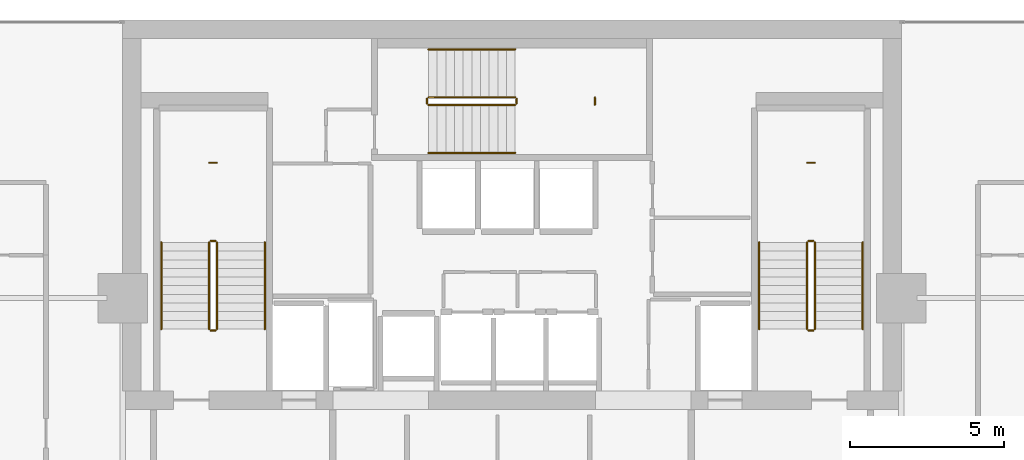
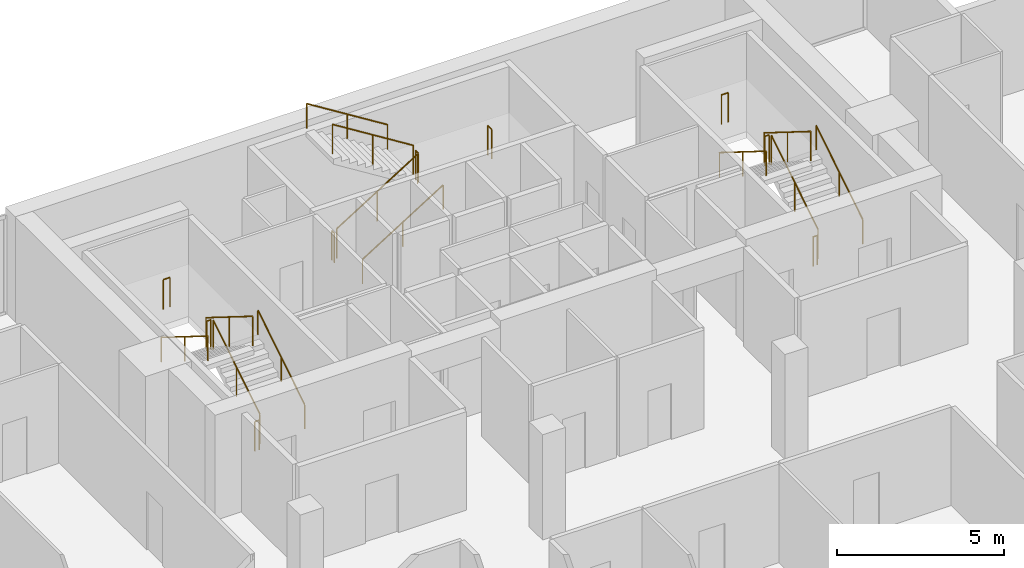
# One storey, part 25 of 25: 21 railings.
"""IFC4 building model written with IfcOpenShell, lengths in metres."""

from ifc_helpers import new_model, si_unit, direction, frame, origin, origin_2d, place, context, subcontext, project, spatial, circle, extrude, material, type_object, element, save


model = new_model("IFC4")

# Units and contexts
model_context = context("Model", 3, precision=1e-05, world=origin(), true_north=direction((0.0, 1.0)))
body_context = subcontext(model_context, "Body", "Model", "MODEL_VIEW")
ifc_project = project(units=[si_unit("LENGTHUNIT", "METRE"), si_unit("AREAUNIT", "SQUARE_METRE"), si_unit("VOLUMEUNIT", "CUBIC_METRE"), si_unit("PLANEANGLEUNIT", "RADIAN"), si_unit("MASSUNIT", "GRAM", prefix="KILO")], contexts=[model_context])

# Site, building, storey
site_placement = place(None, origin())
site = spatial("IfcSite", under=ifc_project, at=site_placement, CompositionType="ELEMENT")
building_placement = place(site_placement, origin())
building = spatial("IfcBuilding", under=site, at=building_placement, Name="Maruvema Waterfront Hotel and Observation Tower", CompositionType="ELEMENT")
storey_placement = place(building_placement, frame((0.0, 0.0, 277.89990234375)))
storey = spatial("IfcBuildingStorey", under=building, at=storey_placement, Name="L68", CompositionType="ELEMENT", Elevation=277.89990234375)

# Railings
ifc_material_1 = material(Name="Brushed stainless steel Grade 316", Category="steel")
railing_type_1 = type_object("IfcRailingType", Name="Ramp Continuous Wall Handrail 920 mm", PredefinedType="HANDRAIL", material=ifc_material_1)
railing_1_placement = place(storey_placement, frame((29.800048828125, 44.0, 0.175048828125)))
element("IfcRailing", 1, at=railing_1_placement, inside=storey, type_object=railing_type_1, Name="L68 ST-01 stair handrail 1", PredefinedType="HANDRAIL", context=body_context, shape_type="SweptSolid", body=[
    extrude(circle(Radius=0.02392578125, at=origin_2d()), frame((0.0, 0.0, 0.89599609375), z_axis=(0.0, 0.848002457836, 0.529992293815), x_axis=(-1.0, 0.0, 0.0)), (0.0, 0.0, 1.0), 3.302001953125),
    extrude(circle(Radius=0.02099609375, at=origin_2d()), origin(), (0.0, 0.0, 1.0), 0.871826171875),
    extrude(circle(Radius=0.02099609375, at=origin_2d()), frame((0.0, 1.39990234375, 0.875)), (0.0, 0.0, 1.0), 0.871826171875),
    extrude(circle(Radius=0.02099609375, at=origin_2d()), frame((0.0, 2.800048828125, 1.75)), (0.0, 0.0, 1.0), 0.871826171875),
])
railing_2_placement = place(storey_placement, frame((26.449951171875, 46.800048828125, 2.10009765625)))
element("IfcRailing", 2, at=railing_2_placement, inside=storey, type_object=railing_type_1, Name="L68 ST-01 stair handrail 2", PredefinedType="HANDRAIL", context=body_context, shape_type="SweptSolid", body=[
    extrude(circle(Radius=0.02392578125, at=origin_2d()), frame((0.0, 0.0, 0.89599609375), z_axis=(0.0, -0.848002457836, 0.529992293815), x_axis=(1.0, 0.0, 0.0)), (0.0, 0.0, 1.0), 3.302001953125),
    extrude(circle(Radius=0.02099609375, at=origin_2d()), origin(), (0.0, 0.0, 1.0), 0.871826171875),
    extrude(circle(Radius=0.02099609375, at=origin_2d()), frame((0.0, -1.39990234375, 0.875)), (0.0, 0.0, 1.0), 0.871826171875),
    extrude(circle(Radius=0.02099609375, at=origin_2d()), frame((0.0, -2.800048828125, 1.75)), (0.0, 0.0, 1.0), 0.871826171875),
])
railing_3_placement = place(storey_placement, frame((35.10009765625, 49.699951171875, 0.175048828125)))
element("IfcRailing", 3, at=railing_3_placement, inside=storey, type_object=railing_type_1, Name="L68 ST-02 stair handrail 1", PredefinedType="HANDRAIL", context=body_context, shape_type="SweptSolid", body=[
    extrude(circle(Radius=0.02392578125, at=origin_2d()), frame((0.0, 0.0, 0.89599609375), z_axis=(0.847981687118, 0.0, 0.530025526095), x_axis=(0.0, 1.0, 0.0)), (0.0, 0.0, 1.0), 3.3017578125),
    extrude(circle(Radius=0.02099609375, at=origin_2d()), origin(), (0.0, 0.0, 1.0), 0.871826171875),
    extrude(circle(Radius=0.02099609375, at=origin_2d()), frame((1.39990234375, 0.0, 0.875)), (0.0, 0.0, 1.0), 0.871826171875),
    extrude(circle(Radius=0.02099609375, at=origin_2d()), frame((2.7998046875, 0.0, 1.75)), (0.0, 0.0, 1.0), 0.871826171875),
])
railing_4_placement = place(storey_placement, frame((37.89990234375, 53.050048828125, 2.10009765625)))
element("IfcRailing", 4, at=railing_4_placement, inside=storey, type_object=railing_type_1, Name="L68 ST-02 stair handrail 2", PredefinedType="HANDRAIL", context=body_context, shape_type="SweptSolid", body=[
    extrude(circle(Radius=0.02392578125, at=origin_2d()), frame((0.0, 0.0, 0.89599609375), z_axis=(-0.847981687118, 0.0, 0.530025526095), x_axis=(0.0, -1.0, 0.0)), (0.0, 0.0, 1.0), 3.3017578125),
    extrude(circle(Radius=0.02099609375, at=origin_2d()), origin(), (0.0, 0.0, 1.0), 0.871826171875),
    extrude(circle(Radius=0.02099609375, at=origin_2d()), frame((-1.39990234375, 0.0, 0.875)), (0.0, 0.0, 1.0), 0.871826171875),
    extrude(circle(Radius=0.02099609375, at=origin_2d()), frame((-2.7998046875, 0.0, 1.75)), (0.0, 0.0, 1.0), 0.871826171875),
])
railing_5_placement = place(storey_placement, frame((49.14990234375, 44.0, 0.175048828125)))
element("IfcRailing", 5, at=railing_5_placement, inside=storey, type_object=railing_type_1, Name="L68 ST-03 stair handrail 1", PredefinedType="HANDRAIL", context=body_context, shape_type="SweptSolid", body=[
    extrude(circle(Radius=0.02392578125, at=origin_2d()), frame((0.0, 0.0, 0.89599609375), z_axis=(0.0, 0.848002457836, 0.529992293815), x_axis=(-1.0, 0.0, 0.0)), (0.0, 0.0, 1.0), 3.302001953125),
    extrude(circle(Radius=0.02099609375, at=origin_2d()), origin(), (0.0, 0.0, 1.0), 0.871826171875),
    extrude(circle(Radius=0.02099609375, at=origin_2d()), frame((0.0, 1.39990234375, 0.875)), (0.0, 0.0, 1.0), 0.871826171875),
    extrude(circle(Radius=0.02099609375, at=origin_2d()), frame((0.0, 2.800048828125, 1.75)), (0.0, 0.0, 1.0), 0.871826171875),
])
railing_6_placement = place(storey_placement, frame((45.800048828125, 46.800048828125, 2.10009765625)))
element("IfcRailing", 6, at=railing_6_placement, inside=storey, type_object=railing_type_1, Name="L68 ST-03 stair handrail 2", PredefinedType="HANDRAIL", context=body_context, shape_type="SweptSolid", body=[
    extrude(circle(Radius=0.02392578125, at=origin_2d()), frame((0.0, 0.0, 0.89599609375), z_axis=(0.0, -0.848002457836, 0.529992293815), x_axis=(1.0, 0.0, 0.0)), (0.0, 0.0, 1.0), 3.302001953125),
    extrude(circle(Radius=0.02099609375, at=origin_2d()), origin(), (0.0, 0.0, 1.0), 0.871826171875),
    extrude(circle(Radius=0.02099609375, at=origin_2d()), frame((0.0, -1.39990234375, 0.875)), (0.0, 0.0, 1.0), 0.871826171875),
    extrude(circle(Radius=0.02099609375, at=origin_2d()), frame((0.0, -2.800048828125, 1.75)), (0.0, 0.0, 1.0), 0.871826171875),
])
ifc_material_2 = material(Name="Brushed stainless steel Grade 316", Category="steel")
railing_type_2 = type_object("IfcRailingType", Name="Ramp and Terrace Guard Balustrade 1100 mm", PredefinedType="BALUSTRADE", material=ifc_material_2)
railing_7_placement = place(storey_placement, frame((28.25, 44.0, 0.175048828125)))
element("IfcRailing", 7, at=railing_7_placement, inside=storey, type_object=railing_type_2, Name="L68 ST-01 stair guard 1", PredefinedType="BALUSTRADE", context=body_context, shape_type="SweptSolid", body=[
    extrude(circle(Radius=0.02392578125, at=origin_2d()), frame((0.0, 0.0, 1.076171875), z_axis=(0.0, 0.848002457836, 0.529992293815), x_axis=(-1.0, 0.0, 0.0)), (0.0, 0.0, 1.0), 3.302001953125),
    extrude(circle(Radius=0.02099609375, at=origin_2d()), origin(), (0.0, 0.0, 1.0), 1.052001953125),
    extrude(circle(Radius=0.02099609375, at=origin_2d()), frame((0.0, 1.39990234375, 0.875)), (0.0, 0.0, 1.0), 1.052001953125),
    extrude(circle(Radius=0.02099609375, at=origin_2d()), frame((0.0, 2.800048828125, 1.75)), (0.0, 0.0, 1.0), 1.052001953125),
])
railing_8_placement = place(storey_placement, frame((28.199951171875, 46.85009765625, 1.925048828125)))
element("IfcRailing", 8, at=railing_8_placement, inside=storey, type_object=railing_type_2, Name="L68 ST-01 stair guard 2", PredefinedType="BALUSTRADE", context=body_context, shape_type="SweptSolid", body=[
    extrude(circle(Radius=0.02392578125, at=origin_2d()), frame((0.0, 0.0, 1.076171875), z_axis=(-1.0, 0.0, 0.0), x_axis=(0.0, -1.0, 0.0)), (0.0, 0.0, 1.0), 0.14990234375),
    extrude(circle(Radius=0.02099609375, at=origin_2d()), origin(), (0.0, 0.0, 1.0), 1.052001953125),
    extrude(circle(Radius=0.02099609375, at=origin_2d()), frame((-0.14990234375, 0.0, 0.0)), (0.0, 0.0, 1.0), 1.052001953125),
])
railing_9_placement = place(storey_placement, frame((28.0, 46.800048828125, 2.10009765625)))
element("IfcRailing", 9, at=railing_9_placement, inside=storey, type_object=railing_type_2, Name="L68 ST-01 stair guard 3", PredefinedType="BALUSTRADE", context=body_context, shape_type="SweptSolid", body=[
    extrude(circle(Radius=0.02392578125, at=origin_2d()), frame((0.0, 0.0, 1.076171875), z_axis=(0.0, -0.848002457836, 0.529992293815), x_axis=(1.0, 0.0, 0.0)), (0.0, 0.0, 1.0), 3.302001953125),
    extrude(circle(Radius=0.02099609375, at=origin_2d()), origin(), (0.0, 0.0, 1.0), 1.052001953125),
    extrude(circle(Radius=0.02099609375, at=origin_2d()), frame((0.0, -1.39990234375, 0.875)), (0.0, 0.0, 1.0), 1.052001953125),
    extrude(circle(Radius=0.02099609375, at=origin_2d()), frame((0.0, -2.800048828125, 1.75)), (0.0, 0.0, 1.0), 1.052001953125),
])
railing_10_placement = place(storey_placement, frame((28.199951171875, 43.949951171875, 0.0)))
element("IfcRailing", 10, at=railing_10_placement, inside=storey, type_object=railing_type_2, Name="L68 ST-01 stair guard 4", PredefinedType="BALUSTRADE", context=body_context, shape_type="SweptSolid", body=[
    extrude(circle(Radius=0.02392578125, at=origin_2d()), frame((0.0, 0.0, 1.076171875), z_axis=(-1.0, 0.0, 0.0), x_axis=(0.0, -1.0, 0.0)), (0.0, 0.0, 1.0), 0.14990234375),
    extrude(circle(Radius=0.02099609375, at=origin_2d()), origin(), (0.0, 0.0, 1.0), 1.052001953125),
    extrude(circle(Radius=0.02099609375, at=origin_2d()), frame((-0.14990234375, 0.0, 0.0)), (0.0, 0.0, 1.0), 1.052001953125),
])
railing_11_placement = place(storey_placement, frame((28.239990234375, 49.3798828125, 1.925048828125)))
element("IfcRailing", 11, at=railing_11_placement, inside=storey, type_object=railing_type_2, Name="L68 ST-01 Half-Landing Slot Guard", PredefinedType="BALUSTRADE", context=body_context, shape_type="SweptSolid", body=[
    extrude(circle(Radius=0.02392578125, at=origin_2d()), frame((0.0, 0.0, 1.076171875), z_axis=(-1.0, 0.0, 0.0), x_axis=(0.0, -1.0, 0.0)), (0.0, 0.0, 1.0), 0.22998046875),
    extrude(circle(Radius=0.02099609375, at=origin_2d()), origin(), (0.0, 0.0, 1.0), 1.052001953125),
    extrude(circle(Radius=0.02099609375, at=origin_2d()), frame((-0.22998046875, 0.0, 0.0)), (0.0, 0.0, 1.0), 1.052001953125),
])
railing_12_placement = place(storey_placement, frame((35.10009765625, 51.25, 0.175048828125)))
element("IfcRailing", 12, at=railing_12_placement, inside=storey, type_object=railing_type_2, Name="L68 ST-02 stair guard 1", PredefinedType="BALUSTRADE", context=body_context, shape_type="SweptSolid", body=[
    extrude(circle(Radius=0.02392578125, at=origin_2d()), frame((0.0, 0.0, 1.076171875), z_axis=(0.847981687118, 0.0, 0.530025526095), x_axis=(0.0, 1.0, 0.0)), (0.0, 0.0, 1.0), 3.3017578125),
    extrude(circle(Radius=0.02099609375, at=origin_2d()), origin(), (0.0, 0.0, 1.0), 1.052001953125),
    extrude(circle(Radius=0.02099609375, at=origin_2d()), frame((1.39990234375, 0.0, 0.875)), (0.0, 0.0, 1.0), 1.052001953125),
    extrude(circle(Radius=0.02099609375, at=origin_2d()), frame((2.7998046875, 0.0, 1.75)), (0.0, 0.0, 1.0), 1.052001953125),
])
railing_13_placement = place(storey_placement, frame((37.949951171875, 51.300048828125, 1.925048828125)))
element("IfcRailing", 13, at=railing_13_placement, inside=storey, type_object=railing_type_2, Name="L68 ST-02 stair guard 2", PredefinedType="BALUSTRADE", context=body_context, shape_type="SweptSolid", body=[
    extrude(circle(Radius=0.02392578125, at=origin_2d()), frame((0.0, 0.0, 1.076171875), z_axis=(0.0, 1.0, 0.0), x_axis=(-1.0, 0.0, 0.0)), (0.0, 0.0, 1.0), 0.14990234375),
    extrude(circle(Radius=0.02099609375, at=origin_2d()), origin(), (0.0, 0.0, 1.0), 1.052001953125),
    extrude(circle(Radius=0.02099609375, at=origin_2d()), frame((0.0, 0.14990234375, 0.0)), (0.0, 0.0, 1.0), 1.052001953125),
])
railing_14_placement = place(storey_placement, frame((37.89990234375, 51.5, 2.10009765625)))
element("IfcRailing", 14, at=railing_14_placement, inside=storey, type_object=railing_type_2, Name="L68 ST-02 stair guard 3", PredefinedType="BALUSTRADE", context=body_context, shape_type="SweptSolid", body=[
    extrude(circle(Radius=0.02392578125, at=origin_2d()), frame((0.0, 0.0, 1.076171875), z_axis=(-0.847981687118, 0.0, 0.530025526095), x_axis=(0.0, -1.0, 0.0)), (0.0, 0.0, 1.0), 3.3017578125),
    extrude(circle(Radius=0.02099609375, at=origin_2d()), origin(), (0.0, 0.0, 1.0), 1.052001953125),
    extrude(circle(Radius=0.02099609375, at=origin_2d()), frame((-1.39990234375, 0.0, 0.875)), (0.0, 0.0, 1.0), 1.052001953125),
    extrude(circle(Radius=0.02099609375, at=origin_2d()), frame((-2.7998046875, 0.0, 1.75)), (0.0, 0.0, 1.0), 1.052001953125),
])
railing_15_placement = place(storey_placement, frame((35.050048828125, 51.300048828125, 0.0)))
element("IfcRailing", 15, at=railing_15_placement, inside=storey, type_object=railing_type_2, Name="L68 ST-02 stair guard 4", PredefinedType="BALUSTRADE", context=body_context, shape_type="SweptSolid", body=[
    extrude(circle(Radius=0.02392578125, at=origin_2d()), frame((0.0, 0.0, 1.076171875), z_axis=(0.0, 1.0, 0.0), x_axis=(-1.0, 0.0, 0.0)), (0.0, 0.0, 1.0), 0.14990234375),
    extrude(circle(Radius=0.02099609375, at=origin_2d()), origin(), (0.0, 0.0, 1.0), 1.052001953125),
    extrude(circle(Radius=0.02099609375, at=origin_2d()), frame((0.0, 0.14990234375, 0.0)), (0.0, 0.0, 1.0), 1.052001953125),
])
railing_16_placement = place(storey_placement, frame((40.47998046875, 51.260009765625, 1.925048828125)))
element("IfcRailing", 16, at=railing_16_placement, inside=storey, type_object=railing_type_2, Name="L68 ST-02 Half-Landing Slot Guard", PredefinedType="BALUSTRADE", context=body_context, shape_type="SweptSolid", body=[
    extrude(circle(Radius=0.02392578125, at=origin_2d()), frame((0.0, 0.0, 1.076171875), z_axis=(0.0, 1.0, 0.0), x_axis=(-1.0, 0.0, 0.0)), (0.0, 0.0, 1.0), 0.22998046875),
    extrude(circle(Radius=0.02099609375, at=origin_2d()), origin(), (0.0, 0.0, 1.0), 1.052001953125),
    extrude(circle(Radius=0.02099609375, at=origin_2d()), frame((0.0, 0.22998046875, 0.0)), (0.0, 0.0, 1.0), 1.052001953125),
])
railing_17_placement = place(storey_placement, frame((47.60009765625, 44.0, 0.175048828125)))
element("IfcRailing", 17, at=railing_17_placement, inside=storey, type_object=railing_type_2, Name="L68 ST-03 stair guard 1", PredefinedType="BALUSTRADE", context=body_context, shape_type="SweptSolid", body=[
    extrude(circle(Radius=0.02392578125, at=origin_2d()), frame((0.0, 0.0, 1.076171875), z_axis=(0.0, 0.848002457836, 0.529992293815), x_axis=(-1.0, 0.0, 0.0)), (0.0, 0.0, 1.0), 3.302001953125),
    extrude(circle(Radius=0.02099609375, at=origin_2d()), origin(), (0.0, 0.0, 1.0), 1.052001953125),
    extrude(circle(Radius=0.02099609375, at=origin_2d()), frame((0.0, 1.39990234375, 0.875)), (0.0, 0.0, 1.0), 1.052001953125),
    extrude(circle(Radius=0.02099609375, at=origin_2d()), frame((0.0, 2.800048828125, 1.75)), (0.0, 0.0, 1.0), 1.052001953125),
])
railing_18_placement = place(storey_placement, frame((47.550048828125, 46.85009765625, 1.925048828125)))
element("IfcRailing", 18, at=railing_18_placement, inside=storey, type_object=railing_type_2, Name="L68 ST-03 stair guard 2", PredefinedType="BALUSTRADE", context=body_context, shape_type="SweptSolid", body=[
    extrude(circle(Radius=0.02392578125, at=origin_2d()), frame((0.0, 0.0, 1.076171875), z_axis=(-1.0, 0.0, 0.0), x_axis=(0.0, -1.0, 0.0)), (0.0, 0.0, 1.0), 0.150146484375),
    extrude(circle(Radius=0.02099609375, at=origin_2d()), origin(), (0.0, 0.0, 1.0), 1.052001953125),
    extrude(circle(Radius=0.02099609375, at=origin_2d()), frame((-0.150146484375, 0.0, 0.0)), (0.0, 0.0, 1.0), 1.052001953125),
])
railing_19_placement = place(storey_placement, frame((47.35009765625, 46.800048828125, 2.10009765625)))
element("IfcRailing", 19, at=railing_19_placement, inside=storey, type_object=railing_type_2, Name="L68 ST-03 stair guard 3", PredefinedType="BALUSTRADE", context=body_context, shape_type="SweptSolid", body=[
    extrude(circle(Radius=0.02392578125, at=origin_2d()), frame((0.0, 0.0, 1.076171875), z_axis=(0.0, -0.848002457836, 0.529992293815), x_axis=(1.0, 0.0, 0.0)), (0.0, 0.0, 1.0), 3.302001953125),
    extrude(circle(Radius=0.02099609375, at=origin_2d()), origin(), (0.0, 0.0, 1.0), 1.052001953125),
    extrude(circle(Radius=0.02099609375, at=origin_2d()), frame((0.0, -1.39990234375, 0.875)), (0.0, 0.0, 1.0), 1.052001953125),
    extrude(circle(Radius=0.02099609375, at=origin_2d()), frame((0.0, -2.800048828125, 1.75)), (0.0, 0.0, 1.0), 1.052001953125),
])
railing_20_placement = place(storey_placement, frame((47.550048828125, 43.949951171875, 0.0)))
element("IfcRailing", 20, at=railing_20_placement, inside=storey, type_object=railing_type_2, Name="L68 ST-03 stair guard 4", PredefinedType="BALUSTRADE", context=body_context, shape_type="SweptSolid", body=[
    extrude(circle(Radius=0.02392578125, at=origin_2d()), frame((0.0, 0.0, 1.076171875), z_axis=(-1.0, 0.0, 0.0), x_axis=(0.0, -1.0, 0.0)), (0.0, 0.0, 1.0), 0.150146484375),
    extrude(circle(Radius=0.02099609375, at=origin_2d()), origin(), (0.0, 0.0, 1.0), 1.052001953125),
    extrude(circle(Radius=0.02099609375, at=origin_2d()), frame((-0.150146484375, 0.0, 0.0)), (0.0, 0.0, 1.0), 1.052001953125),
])
railing_21_placement = place(storey_placement, frame((47.590087890625, 49.3798828125, 1.925048828125)))
element("IfcRailing", 21, at=railing_21_placement, inside=storey, type_object=railing_type_2, Name="L68 ST-03 Half-Landing Slot Guard", PredefinedType="BALUSTRADE", context=body_context, shape_type="SweptSolid", body=[
    extrude(circle(Radius=0.02392578125, at=origin_2d()), frame((0.0, 0.0, 1.076171875), z_axis=(-1.0, 0.0, 0.0), x_axis=(0.0, -1.0, 0.0)), (0.0, 0.0, 1.0), 0.22998046875),
    extrude(circle(Radius=0.02099609375, at=origin_2d()), origin(), (0.0, 0.0, 1.0), 1.052001953125),
    extrude(circle(Radius=0.02099609375, at=origin_2d()), frame((-0.22998046875, 0.0, 0.0)), (0.0, 0.0, 1.0), 1.052001953125),
])

save(model, "model.ifc")
